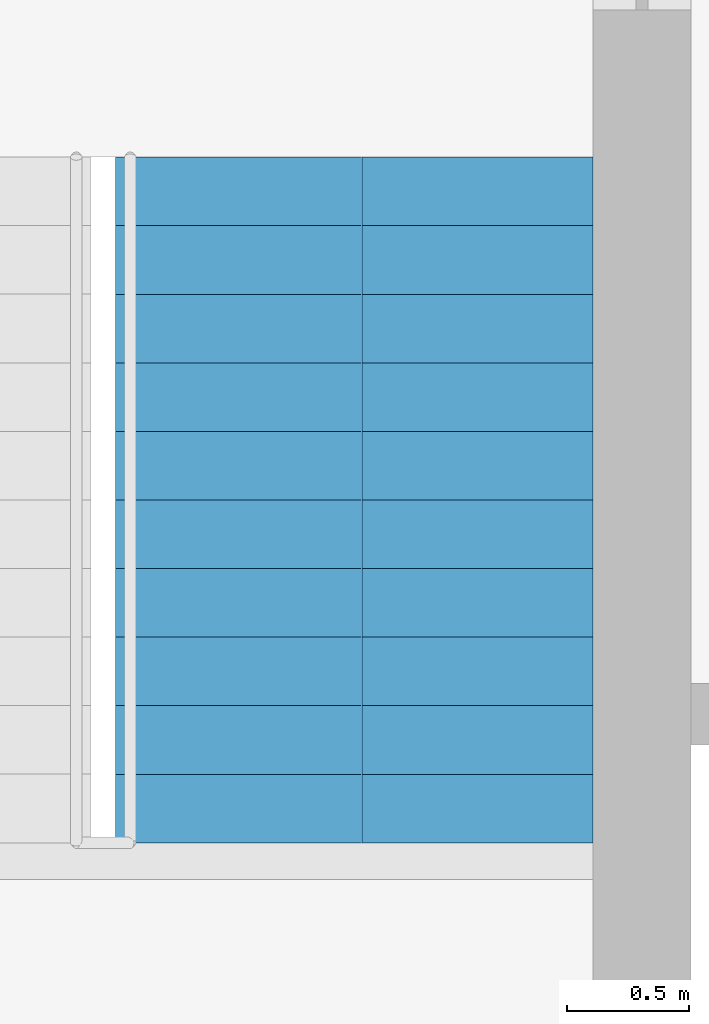
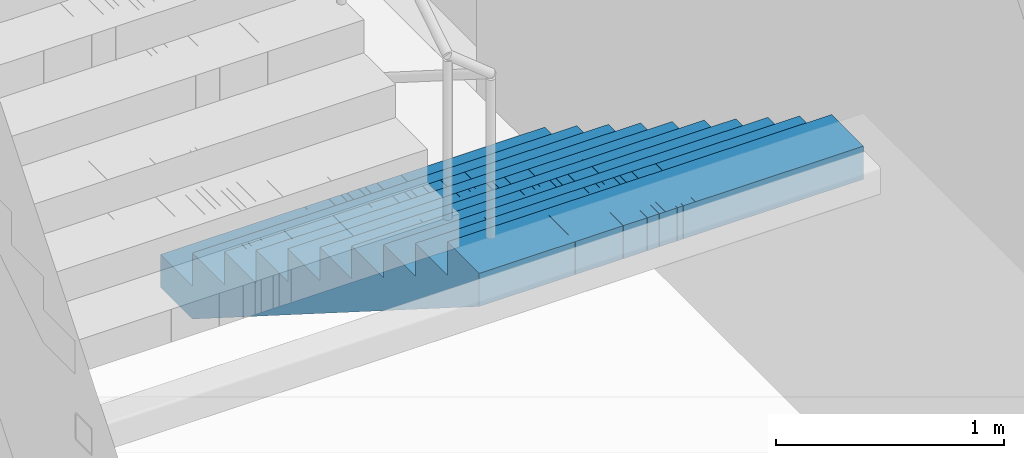
# One storey, part 19 of 20: 1 stair flight, 1 element without a shape of its own.
"""IFC4 building model written with IfcOpenShell, lengths in metres."""

import ifcopenshell
import ifcopenshell.guid

model = None  # the IFC model being written
_history = None  # IfcOwnerHistory: only IFC2X3 demands one
_inside = {}  # id of a spatial element -> (the spatial element, [elements in it])
_under = {}  # id of a project, library or spatial element -> (it, [spatial elements below it])
_declared = {}  # id of a project -> (the project, [libraries it declares])
_typed = {}  # id of a type object -> (the type object, [elements of that type])
_made_of = {}  # id of a material, layer set ... -> (it, [elements and type objects made of it])


def new_model(schema):
    """Start an empty IFC model of exactly this schema.

    Asked for "IFC4X3", IfcOpenShell would pick the latest addendum, in which some entities
    have other attributes; the version numbers below select the first issue.
    IFC2X3 requires an IfcOwnerHistory on every rooted entity: one is made here for all.
    """
    global model, _history
    if schema == "IFC4X3":
        model = ifcopenshell.file(schema_version=(4, 3, 0, 0))
    else:
        model = ifcopenshell.file(schema=schema)
    _inside.clear()
    _under.clear()
    _declared.clear()
    _typed.clear()
    _made_of.clear()
    _history = None
    if model.schema == "IFC2X3":
        org = make("IfcOrganization", Name="unknown")
        user = make(
            "IfcPersonAndOrganization",
            ThePerson=make("IfcPerson", FamilyName="unknown"),
            TheOrganization=org,
        )
        app = make(
            "IfcApplication",
            ApplicationDeveloper=org,
            Version="unknown",
            ApplicationFullName="unknown",
            ApplicationIdentifier="unknown",
        )
        _history = make(
            "IfcOwnerHistory",
            OwningUser=user,
            OwningApplication=app,
            ChangeAction="ADDED",
            CreationDate=0,
        )
    return model


def make(cls, **values):
    """One entity of the class cls with the attributes given. An attribute that is None is left unset."""
    return model.create_entity(
        cls, **{name: value for name, value in values.items() if value is not None}
    )


def rooted(cls, **values):
    """An entity with a GlobalId (a new one), such as an element, a storey or a relation."""
    return make(cls, GlobalId=ifcopenshell.guid.new(), OwnerHistory=_history, **values)


def si_unit(unit_type, name, prefix=None):
    """IfcSIUnit, for example si_unit("LENGTHUNIT", "METRE", prefix="MILLI")."""
    return make("IfcSIUnit", UnitType=unit_type, Prefix=prefix, Name=name)


def assignment(units):
    """IfcUnitAssignment: the units of a project."""
    return None if units is None else make("IfcUnitAssignment", Units=units)


def point(xyz):
    """IfcCartesianPoint."""
    return None if xyz is None else make("IfcCartesianPoint", Coordinates=xyz)


def direction(xyz):
    """IfcDirection."""
    return None if xyz is None else make("IfcDirection", DirectionRatios=xyz)


def frame(location, z_axis=None, x_axis=None):
    """IfcAxis2Placement3D, a coordinate frame: its origin and axes. An axis left out is left unset."""
    return make(
        "IfcAxis2Placement3D",
        Location=point(location),
        Axis=direction(z_axis),
        RefDirection=direction(x_axis),
    )


def origin():
    """The frame at (0, 0, 0) with its axes left unset."""
    return frame((0.0, 0.0, 0.0))


def place(relative_to, where):
    """IfcLocalPlacement: puts the frame where relative to a parent placement (None: the world)."""
    return make(
        "IfcLocalPlacement", PlacementRelTo=relative_to, RelativePlacement=where
    )


def context(
    kind, dimensions, precision=None, world=None, true_north=None, identifier=None
):
    """IfcGeometricRepresentationContext, for example the 3D "Model" context."""
    return make(
        "IfcGeometricRepresentationContext",
        ContextIdentifier=identifier,
        ContextType=kind,
        CoordinateSpaceDimension=dimensions,
        Precision=precision,
        WorldCoordinateSystem=world,
        TrueNorth=true_north,
    )


def subcontext(parent, identifier, kind, view, scale=None):
    """IfcGeometricRepresentationSubContext, for example "Body" below "Model"."""
    return make(
        "IfcGeometricRepresentationSubContext",
        ContextIdentifier=identifier,
        ContextType=kind,
        ParentContext=parent,
        TargetScale=scale,
        TargetView=view,
    )


def project(units=None, contexts=None):
    """IfcProject with its units and contexts."""
    return rooted(
        "IfcProject",
        Name="project",
        RepresentationContexts=contexts,
        UnitsInContext=assignment(units),
    )


def spatial(cls, under=None, at=None, **own):
    """A site, building, storey or space (cls), placed at a placement, below another one or the project."""
    s = rooted(cls, ObjectPlacement=at, **own)
    if under is not None:
        _under.setdefault(under.id(), (under, []))[1].append(s)
    return s


def polyline(points):
    """IfcPolyline through the points."""
    return make("IfcPolyline", Points=[point(p) for p in points])


def outline(outer, holes=None, kind="AREA"):
    """IfcArbitraryClosedProfileDef: a profile drawn as a closed curve; with holes, ...WithVoids."""
    if holes is None:
        return make("IfcArbitraryClosedProfileDef", ProfileType=kind, OuterCurve=outer)
    return make(
        "IfcArbitraryProfileDefWithVoids",
        ProfileType=kind,
        OuterCurve=outer,
        InnerCurves=holes,
    )


def extrude(swept, where, along, depth):
    """IfcExtrudedAreaSolid: the profile swept, set in the frame where, extruded along a direction by depth."""
    return make(
        "IfcExtrudedAreaSolid",
        SweptArea=swept,
        Position=where,
        ExtrudedDirection=direction(along),
        Depth=depth,
    )


def shape(context_of_items, identifier, shape_type, items):
    """IfcShapeRepresentation: the items that make up one representation, for example the "Body"."""
    return make(
        "IfcShapeRepresentation",
        ContextOfItems=context_of_items,
        RepresentationIdentifier=identifier,
        RepresentationType=shape_type,
        Items=items,
    )


def material(Name=None, Category=None):
    """IfcMaterial."""
    return make("IfcMaterial", Name=Name, Category=Category)


def made_of(thing, what):
    """Note that an element or type object is made of a material, layer set ...; save() writes the relation."""
    if what is not None:
        _made_of.setdefault(what.id(), (what, []))[1].append(thing)
    return thing


def type_object(cls, material=None, **own):
    """A type object (cls), such as IfcWallType, which elements share."""
    return made_of(rooted(cls, **own), material)


def element(
    cls,
    number,
    at=None,
    inside=None,
    cuts=None,
    type_object=None,
    material=None,
    context=None,
    identifier="Body",
    shape_type=None,
    held_by="IfcProductDefinitionShape",
    body=None,
    shapes=None,
    **own,
):
    """One element of the class cls, such as IfcWall. Its Tag is "e" and its number.

    at: its placement. inside: the storey or other place that contains it. cuts: it is an
    opening in that element (IfcRelVoidsElement). A single representation is given by context,
    identifier, shape_type and body (its items); several are given by shapes. held_by: the class
    of the entity that holds the representations. save() writes the other relations.
    """
    e = rooted(cls, Tag="e%d" % number, ObjectPlacement=at, **own)
    if body is not None:
        shapes = [shape(context, identifier, shape_type, body)]
    if shapes is not None:
        e.Representation = make(held_by, Representations=shapes)
    if inside is not None:
        _inside.setdefault(inside.id(), (inside, []))[1].append(e)
    if cuts is not None:
        rooted(
            "IfcRelVoidsElement", RelatingBuildingElement=cuts, RelatedOpeningElement=e
        )
    if type_object is not None:
        _typed.setdefault(type_object.id(), (type_object, []))[1].append(e)
    return made_of(e, material)


def aggregate(whole, parts):
    """IfcRelAggregates: a whole, such as a stair, and the parts it consists of."""
    return rooted("IfcRelAggregates", RelatingObject=whole, RelatedObjects=parts)


def save(model, path):
    """Write the relations noted so far, then the file.

    IfcRelAggregates (storeys below a building ...), IfcRelContainedInSpatialStructure (elements
    in a storey), IfcRelDefinesByType, IfcRelAssociatesMaterial and IfcRelDeclares: one each for
    every whole, place, type object, material and project.
    """
    for whole, parts in _under.values():
        aggregate(whole, parts)
    for where, things in _inside.values():
        rooted(
            "IfcRelContainedInSpatialStructure",
            RelatedElements=things,
            RelatingStructure=where,
        )
    for kind, things in _typed.values():
        rooted("IfcRelDefinesByType", RelatedObjects=things, RelatingType=kind)
    for what, things in _made_of.values():
        rooted("IfcRelAssociatesMaterial", RelatedObjects=things, RelatingMaterial=what)
    for by, libraries in _declared.values():
        rooted("IfcRelDeclares", RelatingContext=by, RelatedDefinitions=libraries)
    model.write(path)


model = new_model("IFC4")

# Units and contexts
model_context = context("Model", 3, precision=1e-05, world=origin(), true_north=direction((0.0, 1.0)))
body_context = subcontext(model_context, "Body", "Model", "MODEL_VIEW")
ifc_project = project(units=[si_unit("LENGTHUNIT", "METRE"), si_unit("AREAUNIT", "SQUARE_METRE"), si_unit("VOLUMEUNIT", "CUBIC_METRE"), si_unit("PLANEANGLEUNIT", "RADIAN"), si_unit("MASSUNIT", "GRAM", prefix="KILO")], contexts=[model_context])

# Site, building, storey
site_placement = place(None, origin())
site = spatial("IfcSite", under=ifc_project, at=site_placement, CompositionType="ELEMENT")
building_placement = place(site_placement, origin())
building = spatial("IfcBuilding", under=site, at=building_placement, Name="Mizan Broadcast Tower", CompositionType="ELEMENT")
storey_placement = place(building_placement, frame((0.0, 0.0, 190.5)))
storey = spatial("IfcBuildingStorey", under=building, at=storey_placement, Name="L44", CompositionType="ELEMENT", Elevation=190.5)

# Stair, stair flight
ifc_material_1 = material(Name="Concrete C40/50", Category="concrete")
stair_type = type_object("IfcStairType", Name="EXIT STAIR", PredefinedType="HALF_TURN_STAIR", material=ifc_material_1)
stair_placement = place(storey_placement, origin())
stair = element("IfcStair", 1, at=stair_placement, inside=storey, type_object=stair_type, Name="Stair B L44", PredefinedType="HALF_TURN_STAIR")
ifc_material_2 = material(Name="Concrete C40/50", Category="concrete")
stair_flight_type = type_object("IfcStairFlightType", Name="EXIT STAIR FLIGHT", PredefinedType="STRAIGHT", material=ifc_material_2)
stair_flight_placement = place(storey_placement, frame((1.02490234375, 7.89990234375, 0.0), z_axis=(0.0, 0.0, 1.0), x_axis=(0.0, -1.0, 0.0)))
stair_flight = element("IfcStairFlight", 2, at=stair_flight_placement, type_object=stair_flight_type, Name="B flight 1", NumberOfRisers=11, NumberOfTreads=10, PredefinedType="STRAIGHT", RiserHeight=0.177272727, TreadLength=0.28, context=body_context, shape_type="SweptSolid", body=[
    extrude(outline(polyline([(0.0, 0.0), (0.0, 0.17724609375), (0.280029296875, 0.17724609375), (0.280029296875, 0.3544921875), (0.56005859375, 0.3544921875), (0.56005859375, 0.53173828125), (0.840087890625, 0.53173828125), (0.840087890625, 0.708984375), (1.1201171875, 0.708984375), (1.1201171875, 0.886474609375), (1.39990234375, 0.886474609375), (1.39990234375, 1.063720703125), (1.679931640625, 1.063720703125), (1.679931640625, 1.240966796875), (1.9599609375, 1.240966796875), (1.9599609375, 1.418212890625), (2.239990234375, 1.418212890625), (2.239990234375, 1.595458984375), (2.52001953125, 1.595458984375), (2.52001953125, 1.772705078125), (2.800048828125, 1.772705078125), (2.800048828125, 1.949951171875), (2.800048828125, 1.59521484375), (0.2802734375, 0.0), (0.0, 0.0)])), frame((0.0, 0.97509765625, 0.0), z_axis=(0.0, -1.0, 0.0), x_axis=(1.0, 0.0, 0.0)), (0.0, 0.0, 1.0), 0.4873046875),
    extrude(outline(polyline([(0.0, 0.0), (0.0, 0.17724609375), (0.280029296875, 0.17724609375), (0.280029296875, 0.3544921875), (0.56005859375, 0.3544921875), (0.56005859375, 0.53173828125), (0.840087890625, 0.53173828125), (0.840087890625, 0.708984375), (1.1201171875, 0.708984375), (1.1201171875, 0.886474609375), (1.39990234375, 0.886474609375), (1.39990234375, 1.063720703125), (1.679931640625, 1.063720703125), (1.679931640625, 1.240966796875), (1.9599609375, 1.240966796875), (1.9599609375, 1.418212890625), (2.239990234375, 1.418212890625), (2.239990234375, 1.595458984375), (2.52001953125, 1.595458984375), (2.52001953125, 1.772705078125), (2.800048828125, 1.772705078125), (2.800048828125, 1.949951171875), (2.800048828125, 1.59521484375), (0.2802734375, 0.0), (0.0, 0.0)])), frame((0.0, 0.4873046875, 0.0), z_axis=(0.0, -1.0, 0.0), x_axis=(1.0, 0.0, 0.0)), (0.0, 0.0, 1.0), 0.2431640625),
    extrude(outline(polyline([(0.0, 0.0), (0.0, 0.17724609375), (0.280029296875, 0.17724609375), (0.280029296875, 0.3544921875), (0.56005859375, 0.3544921875), (0.56005859375, 0.53173828125), (0.840087890625, 0.53173828125), (0.840087890625, 0.708984375), (1.1201171875, 0.708984375), (1.1201171875, 0.886474609375), (1.39990234375, 0.886474609375), (1.39990234375, 1.063720703125), (1.679931640625, 1.063720703125), (1.679931640625, 1.240966796875), (1.9599609375, 1.240966796875), (1.9599609375, 1.418212890625), (2.239990234375, 1.418212890625), (2.239990234375, 1.595458984375), (2.52001953125, 1.595458984375), (2.52001953125, 1.772705078125), (2.800048828125, 1.772705078125), (2.800048828125, 1.949951171875), (2.800048828125, 1.59521484375), (0.2802734375, 0.0), (0.0, 0.0)])), frame((0.0, 0.24365234375, 0.0), z_axis=(0.0, -1.0, 0.0), x_axis=(1.0, 0.0, 0.0)), (0.0, 0.0, 1.0), 0.121337890625),
    extrude(outline(polyline([(0.0, 0.0), (0.0, 0.17724609375), (0.280029296875, 0.17724609375), (0.280029296875, 0.3544921875), (0.56005859375, 0.3544921875), (0.56005859375, 0.53173828125), (0.840087890625, 0.53173828125), (0.840087890625, 0.708984375), (1.1201171875, 0.708984375), (1.1201171875, 0.886474609375), (1.39990234375, 0.886474609375), (1.39990234375, 1.063720703125), (1.679931640625, 1.063720703125), (1.679931640625, 1.240966796875), (1.9599609375, 1.240966796875), (1.9599609375, 1.418212890625), (2.239990234375, 1.418212890625), (2.239990234375, 1.595458984375), (2.52001953125, 1.595458984375), (2.52001953125, 1.772705078125), (2.800048828125, 1.772705078125), (2.800048828125, 1.949951171875), (2.800048828125, 1.59521484375), (0.2802734375, 0.0), (0.0, 0.0)])), frame((0.0, 0.121826171875, 0.0), z_axis=(0.0, -1.0, 0.0), x_axis=(1.0, 0.0, 0.0)), (0.0, 0.0, 1.0), 0.060546875),
    extrude(outline(polyline([(0.0, 0.0), (0.0, 0.17724609375), (0.280029296875, 0.17724609375), (0.280029296875, 0.3544921875), (0.56005859375, 0.3544921875), (0.56005859375, 0.53173828125), (0.840087890625, 0.53173828125), (0.840087890625, 0.708984375), (1.1201171875, 0.708984375), (1.1201171875, 0.886474609375), (1.39990234375, 0.886474609375), (1.39990234375, 1.063720703125), (1.679931640625, 1.063720703125), (1.679931640625, 1.240966796875), (1.9599609375, 1.240966796875), (1.9599609375, 1.418212890625), (2.239990234375, 1.418212890625), (2.239990234375, 1.595458984375), (2.52001953125, 1.595458984375), (2.52001953125, 1.772705078125), (2.800048828125, 1.772705078125), (2.800048828125, 1.949951171875), (2.800048828125, 1.59521484375), (0.2802734375, 0.0), (0.0, 0.0)])), frame((0.0, 0.060791015625, 0.0), z_axis=(0.0, -1.0, 0.0), x_axis=(1.0, 0.0, 0.0)), (0.0, 0.0, 1.0), 0.030029296875),
    extrude(outline(polyline([(0.0, 0.0), (0.0, 0.17724609375), (0.280029296875, 0.17724609375), (0.280029296875, 0.3544921875), (0.56005859375, 0.3544921875), (0.56005859375, 0.53173828125), (0.840087890625, 0.53173828125), (0.840087890625, 0.708984375), (1.1201171875, 0.708984375), (1.1201171875, 0.886474609375), (1.39990234375, 0.886474609375), (1.39990234375, 1.063720703125), (1.679931640625, 1.063720703125), (1.679931640625, 1.240966796875), (1.9599609375, 1.240966796875), (1.9599609375, 1.418212890625), (2.239990234375, 1.418212890625), (2.239990234375, 1.595458984375), (2.52001953125, 1.595458984375), (2.52001953125, 1.772705078125), (2.800048828125, 1.772705078125), (2.800048828125, 1.949951171875), (2.800048828125, 1.59521484375), (0.2802734375, 0.0), (0.0, 0.0)])), frame((0.0, 0.0302734375, 0.0), z_axis=(0.0, -1.0, 0.0), x_axis=(1.0, 0.0, 0.0)), (0.0, 0.0, 1.0), 0.060302734375),
    extrude(outline(polyline([(0.0, 0.0), (0.0, 0.17724609375), (0.280029296875, 0.17724609375), (0.280029296875, 0.3544921875), (0.56005859375, 0.3544921875), (0.56005859375, 0.53173828125), (0.840087890625, 0.53173828125), (0.840087890625, 0.708984375), (1.1201171875, 0.708984375), (1.1201171875, 0.886474609375), (1.39990234375, 0.886474609375), (1.39990234375, 1.063720703125), (1.679931640625, 1.063720703125), (1.679931640625, 1.240966796875), (1.9599609375, 1.240966796875), (1.9599609375, 1.418212890625), (2.239990234375, 1.418212890625), (2.239990234375, 1.595458984375), (2.52001953125, 1.595458984375), (2.52001953125, 1.772705078125), (2.800048828125, 1.772705078125), (2.800048828125, 1.949951171875), (2.800048828125, 1.59521484375), (0.2802734375, 0.0), (0.0, 0.0)])), frame((0.0, -0.030517578125, 0.0), z_axis=(0.0, -1.0, 0.0), x_axis=(1.0, 0.0, 0.0)), (0.0, 0.0, 1.0), 0.030029296875),
    extrude(outline(polyline([(0.0, 0.0), (0.0, 0.17724609375), (0.280029296875, 0.17724609375), (0.280029296875, 0.3544921875), (0.56005859375, 0.3544921875), (0.56005859375, 0.53173828125), (0.840087890625, 0.53173828125), (0.840087890625, 0.708984375), (1.1201171875, 0.708984375), (1.1201171875, 0.886474609375), (1.39990234375, 0.886474609375), (1.39990234375, 1.063720703125), (1.679931640625, 1.063720703125), (1.679931640625, 1.240966796875), (1.9599609375, 1.240966796875), (1.9599609375, 1.418212890625), (2.239990234375, 1.418212890625), (2.239990234375, 1.595458984375), (2.52001953125, 1.595458984375), (2.52001953125, 1.772705078125), (2.800048828125, 1.772705078125), (2.800048828125, 1.949951171875), (2.800048828125, 1.59521484375), (0.2802734375, 0.0), (0.0, 0.0)])), frame((0.0, -0.06103515625, 0.0), z_axis=(0.0, -1.0, 0.0), x_axis=(1.0, 0.0, 0.0)), (0.0, 0.0, 1.0), 0.060546875),
    extrude(outline(polyline([(0.0, 0.0), (0.0, 0.17724609375), (0.280029296875, 0.17724609375), (0.280029296875, 0.3544921875), (0.56005859375, 0.3544921875), (0.56005859375, 0.53173828125), (0.840087890625, 0.53173828125), (0.840087890625, 0.708984375), (1.1201171875, 0.708984375), (1.1201171875, 0.886474609375), (1.39990234375, 0.886474609375), (1.39990234375, 1.063720703125), (1.679931640625, 1.063720703125), (1.679931640625, 1.240966796875), (1.9599609375, 1.240966796875), (1.9599609375, 1.418212890625), (2.239990234375, 1.418212890625), (2.239990234375, 1.595458984375), (2.52001953125, 1.595458984375), (2.52001953125, 1.772705078125), (2.800048828125, 1.772705078125), (2.800048828125, 1.949951171875), (2.800048828125, 1.59521484375), (0.2802734375, 0.0), (0.0, 0.0)])), frame((0.0, -0.1220703125, 0.0), z_axis=(0.0, -1.0, 0.0), x_axis=(1.0, 0.0, 0.0)), (0.0, 0.0, 1.0), 0.121337890625),
    extrude(outline(polyline([(0.0, 0.0), (0.0, 0.17724609375), (0.280029296875, 0.17724609375), (0.280029296875, 0.3544921875), (0.56005859375, 0.3544921875), (0.56005859375, 0.53173828125), (0.840087890625, 0.53173828125), (0.840087890625, 0.708984375), (1.1201171875, 0.708984375), (1.1201171875, 0.886474609375), (1.39990234375, 0.886474609375), (1.39990234375, 1.063720703125), (1.679931640625, 1.063720703125), (1.679931640625, 1.240966796875), (1.9599609375, 1.240966796875), (1.9599609375, 1.418212890625), (2.239990234375, 1.418212890625), (2.239990234375, 1.595458984375), (2.52001953125, 1.595458984375), (2.52001953125, 1.772705078125), (2.800048828125, 1.772705078125), (2.800048828125, 1.949951171875), (2.800048828125, 1.59521484375), (0.2802734375, 0.0), (0.0, 0.0)])), frame((0.0, -0.243896484375, 0.0), z_axis=(0.0, -1.0, 0.0), x_axis=(1.0, 0.0, 0.0)), (0.0, 0.0, 1.0), 0.2431640625),
    extrude(outline(polyline([(0.0, 0.0), (0.0, 0.17724609375), (0.280029296875, 0.17724609375), (0.280029296875, 0.3544921875), (0.56005859375, 0.3544921875), (0.56005859375, 0.53173828125), (0.840087890625, 0.53173828125), (0.840087890625, 0.708984375), (1.1201171875, 0.708984375), (1.1201171875, 0.886474609375), (1.39990234375, 0.886474609375), (1.39990234375, 1.063720703125), (1.679931640625, 1.063720703125), (1.679931640625, 1.240966796875), (1.9599609375, 1.240966796875), (1.9599609375, 1.418212890625), (2.239990234375, 1.418212890625), (2.239990234375, 1.595458984375), (2.52001953125, 1.595458984375), (2.52001953125, 1.772705078125), (2.800048828125, 1.772705078125), (2.800048828125, 1.949951171875), (2.800048828125, 1.59521484375), (0.2802734375, 0.0), (0.0, 0.0)])), frame((0.0, -0.487548828125, 0.0), z_axis=(0.0, -1.0, 0.0), x_axis=(1.0, 0.0, 0.0)), (0.0, 0.0, 1.0), 0.4873046875),
])
aggregate(stair, [stair_flight])

save(model, "model.ifc")
